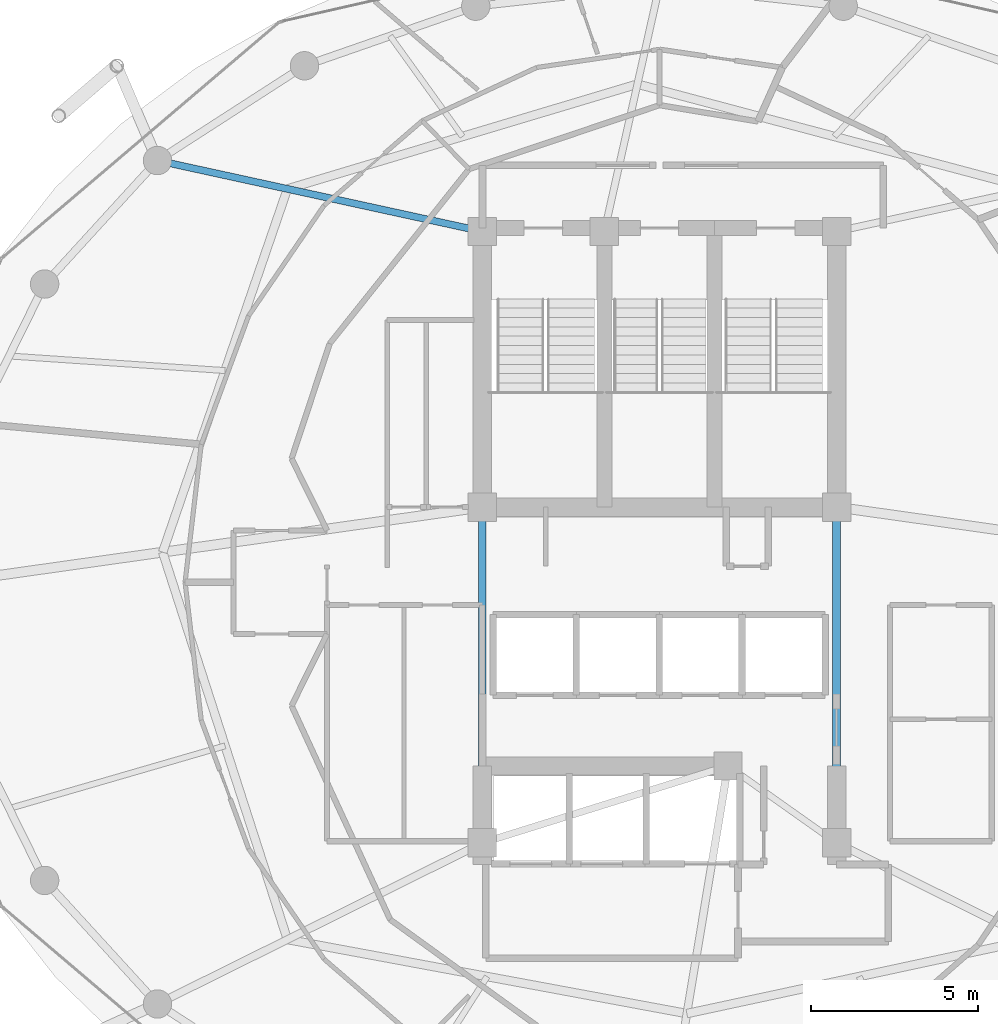
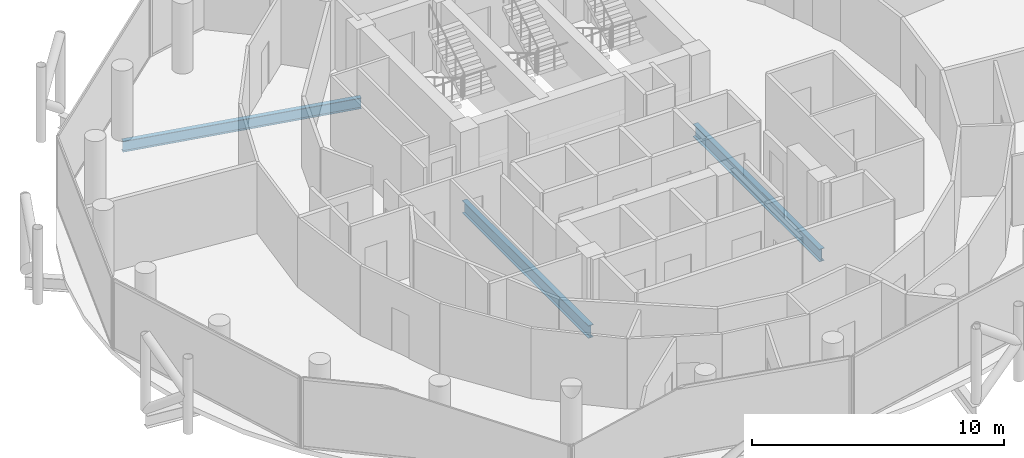
# One storey, part 10 of 27: 3 beams.
"""IFC4 building model written with IfcOpenShell, lengths in metres."""

from ifc_helpers import new_model, si_unit, direction, frame, origin, origin_2d, place, context, subcontext, project, spatial, i_section, extrude, material, material_profile, profile_set, type_object, element, save


model = new_model("IFC4")

# Units and contexts
model_context = context("Model", 3, precision=1e-05, world=origin(), true_north=direction((0.0, 1.0)))
body_context = subcontext(model_context, "Body", "Model", "MODEL_VIEW")
ifc_project = project(units=[si_unit("LENGTHUNIT", "METRE"), si_unit("AREAUNIT", "SQUARE_METRE"), si_unit("VOLUMEUNIT", "CUBIC_METRE"), si_unit("PLANEANGLEUNIT", "RADIAN"), si_unit("MASSUNIT", "GRAM", prefix="KILO")], contexts=[model_context])

# Site, building, storey
site_placement = place(None, origin())
site = spatial("IfcSite", under=ifc_project, at=site_placement, CompositionType="ELEMENT")
building_placement = place(site_placement, origin())
building = spatial("IfcBuilding", under=site, at=building_placement, Name="Nuhasar Tower", CompositionType="ELEMENT")
storey_placement = place(building_placement, frame((0.0, 0.0, 248.300048828125)))
storey = spatial("IfcBuildingStorey", under=building, at=storey_placement, Name="L61", CompositionType="ELEMENT", Elevation=248.300048828125)

# Beams
ifc_material = material(Name="Steel S355", Category="steel")
ifc_material_profile_1 = material_profile(ifc_material, i_section(OverallWidth=0.208984375, OverallDepth=0.528076171875, WebThickness=0.009521484375, FlangeThickness=0.01318359375, at=origin_2d()), Name="W21X55")
ifc_profile_set_1 = profile_set([ifc_material_profile_1], Name="Steel S355")
beam_type_1 = type_object("IfcBeamType", Name="BM-RAD-W21X55", PredefinedType="BEAM", material=ifc_profile_set_1)
beam_placement = place(storey_placement, frame((33.699951171875, 37.300048828125, -0.504150390625), z_axis=(-0.977014275474, 0.213173885644, 0.0), x_axis=(-0.213173885644, -0.977014275474, 0.0)))
element("IfcBeam", 1, at=beam_placement, inside=storey, type_object=beam_type_1, Name="L61 Radial Floor Girder 07", PredefinedType="BEAM", context=body_context, shape_type="SweptSolid", body=[
    extrude(i_section(OverallWidth=0.208984375, OverallDepth=0.528076171875, WebThickness=0.009521484375, FlangeThickness=0.01318359375, at=origin_2d()), origin(), (0.0, 0.0, 1.0), 9.95458984375),
])
ifc_material_profile_2 = material_profile(ifc_material, i_section(OverallWidth=0.22900390625, OverallDepth=0.612060546875, WebThickness=0.011962890625, FlangeThickness=0.01953125, at=origin_2d()), Name="W24X84")
ifc_profile_set_2 = profile_set([ifc_material_profile_2], Name="Steel S355")
beam_type_2 = type_object("IfcBeamType", Name="BM-RAD-W24X84", PredefinedType="BEAM", material=ifc_profile_set_2)
for number, where, z_axis, x_axis, name in (
    (2, (44.300048828125, 19.0, -0.546142578125), (0.0, 1.0, 0.0), (-1.0, 0.0, 0.0), "L61 Core Ring Girder 3"),
    (3, (33.699951171875, 29.050048828125, -0.546142578125), (0.0, -1.0, 0.0), (1.0, 0.0, 0.0), "L61 Core Ring Girder 8"),
):
    element("IfcBeam", number, at=place(storey_placement, frame(where, z_axis=z_axis, x_axis=x_axis)), inside=storey, type_object=beam_type_2, Name=name, PredefinedType="BEAM", context=body_context, shape_type="SweptSolid", body=[
        extrude(i_section(OverallWidth=0.22900390625, OverallDepth=0.612060546875, WebThickness=0.011962890625, FlangeThickness=0.01953125, at=origin_2d()), origin(), (0.0, 0.0, 1.0), 10.050048828125),
    ])

save(model, "model.ifc")
